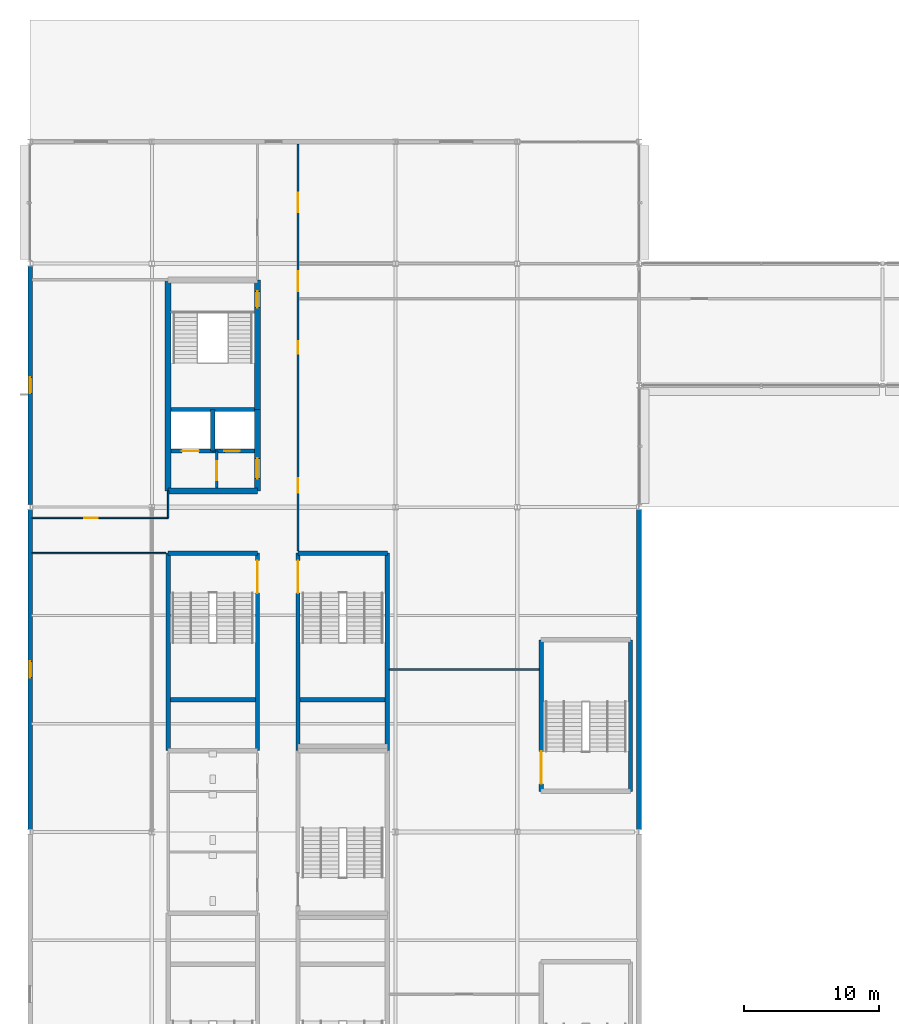
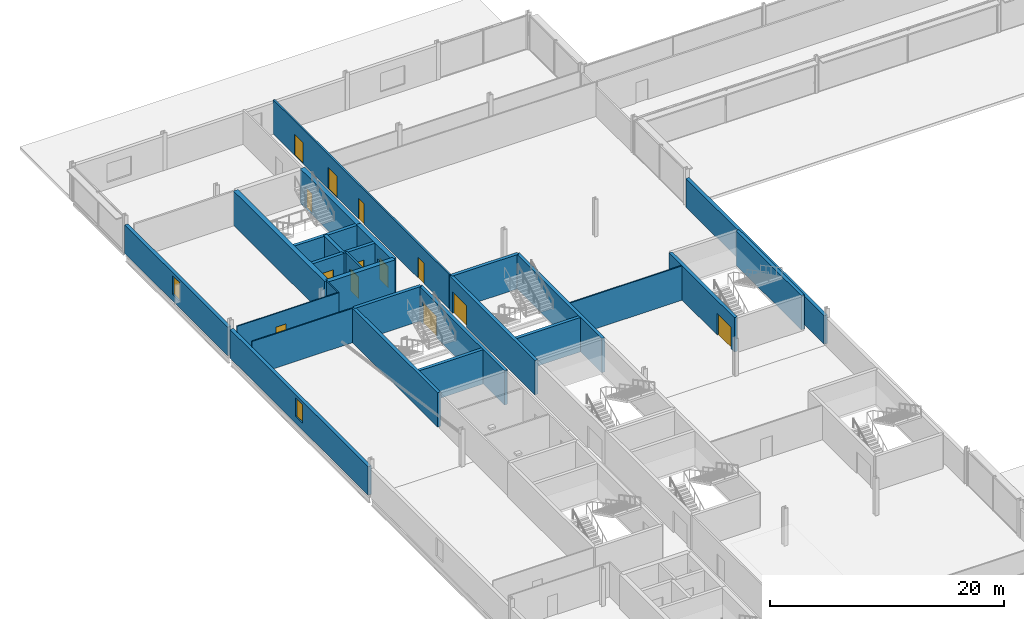
# One storey, part 64 of 105: 27 walls, 13 doors, 2 windows, 15 openings.
"""IFC4 building model written with IfcOpenShell, lengths in metres."""

from ifc_helpers import new_model, si_unit, direction, frame, frame_2d, origin, place, context, subcontext, project, spatial, rectangle, extrude, material, layer, layer_set, type_object, element, fill, save


model = new_model("IFC4")

# Units and contexts
model_context = context("Model", 3, precision=1e-05, world=origin(), true_north=direction((0.0, 1.0)))
body_context = subcontext(model_context, "Body", "Model", "MODEL_VIEW")
ifc_project = project(units=[si_unit("LENGTHUNIT", "METRE"), si_unit("AREAUNIT", "SQUARE_METRE"), si_unit("VOLUMEUNIT", "CUBIC_METRE"), si_unit("PLANEANGLEUNIT", "RADIAN"), si_unit("MASSUNIT", "GRAM", prefix="KILO")], contexts=[model_context])

# Site, building, storey
site_placement = place(None, origin())
site = spatial("IfcSite", under=ifc_project, at=site_placement, CompositionType="ELEMENT")
building_placement = place(site_placement, origin())
building = spatial("IfcBuilding", under=site, at=building_placement, Name="Kisiwana Market Hall", CompositionType="ELEMENT")
storey_placement = place(building_placement, frame((0.0, 0.0, 21.60009765625)))
storey = spatial("IfcBuildingStorey", under=building, at=storey_placement, Name="L04", CompositionType="ELEMENT", Elevation=21.60009765625)

# Wall, opening, door
ifc_material_1 = material(Name="Masonry blockwork", Category="masonry")
ifc_layer_1 = layer(ifc_material_1, 0.199951171875, Name="Plastered fire compartment block wall")
ifc_layer_set_1 = layer_set([ifc_layer_1], Name="WL-COMP-200")
wall_type_1 = type_object("IfcWallType", Name="WL-COMP-200", PredefinedType="PARTITIONING", material=ifc_layer_set_1)
wall_1_placement = place(storey_placement, frame((13.800048828125, 85.425048828125, 0.0), z_axis=(0.0, 0.0, 1.0), x_axis=(0.0, 1.0, 0.0)))
wall_1 = element("IfcWall", 1, at=wall_1_placement, inside=storey, type_object=wall_type_1, Name="Core W1 firefighting lobby wall W-1639", PredefinedType="PARTITIONING", context=body_context, shape_type="SweptSolid", body=[
    extrude(rectangle(XDim=2.72998046875, YDim=0.199951171875, at=frame_2d((1.364990234375, 0.0))), origin(), (0.0, 0.0, 1.0), 3.5849609375),
])
opening_1_placement = place(wall_1_placement, frame((0.550048828125, 0.0, 0.0)))
opening_1 = element("IfcOpeningElement", 2, at=opening_1_placement, cuts=wall_1, Name="Opening DR-L04-006", PredefinedType="OPENING", context=body_context, shape_type="SweptSolid", body=[
    extrude(rectangle(XDim=1.39990234375, YDim=2.25, at=frame_2d((0.699951171875, 1.125))), frame((0.0, 0.11181640625, 0.0), z_axis=(0.0, -1.0, 0.0), x_axis=(1.0, 0.0, 0.0)), (0.0, 0.0, 1.0), 0.223876953125),
])
ifc_material_2 = material(Name="Steel S275", Category="steel")
door_type_1 = type_object("IfcDoorType", Name="DR-FFLOB-FD120-1400", OperationType="DOUBLE_DOOR_SINGLE_SWING", PredefinedType="DOOR", material=ifc_material_2)
door_1_placement = place(opening_1_placement, frame((1.39990234375, 0.0, 0.0), z_axis=(0.0, 0.0, 1.0), x_axis=(-1.0, 0.0, 0.0)))
door_1 = element("IfcDoor", 3, at=door_1_placement, inside=storey, type_object=door_type_1, Name="Firefighting Lift Lobby W1 Door (L04)", OperationType="DOUBLE_DOOR_SINGLE_SWING", OverallHeight=2.25, OverallWidth=1.39990234375, PredefinedType="DOOR", context=body_context, shape_type="SweptSolid", body=[
    extrude(rectangle(XDim=1.39990234375, YDim=2.25, at=frame_2d((0.699951171875, 1.125))), frame((0.0, 0.02490234375, 0.0), z_axis=(0.0, -1.0, 0.0), x_axis=(1.0, 0.0, 0.0)), (0.0, 0.0, 1.0), 0.050048828125),
])
fill(opening_1, door_1)

# Walls
ifc_material_3 = material(Name="Concrete C40/50", Category="concrete")
ifc_layer_2 = layer(ifc_material_3, 0.320068359375, Name="Reinforced concrete shaft wall")
ifc_layer_set_2 = layer_set([ifc_layer_2], Name="WL-CORE-320")
wall_type_2 = type_object("IfcWallType", Name="WL-CORE-320", PredefinedType="SHEAR", material=ifc_layer_set_2)
wall_2_placement = place(storey_placement, frame((10.425048828125, 91.215087890625, 0.0), z_axis=(0.0, 0.0, 1.0), x_axis=(1.0, 0.0, 0.0)))
element("IfcWall", 4, at=wall_2_placement, inside=storey, type_object=wall_type_2, Name="Core W1 shaft back shear wall W-1528", PredefinedType="SHEAR", context=body_context, shape_type="SweptSolid", body=[
    extrude(rectangle(XDim=6.14990234375, YDim=0.320068359375, at=frame_2d((3.074951171875, 0.0))), origin(), (0.0, 0.0, 1.0), 3.5849609375),
])
wall_3_placement = place(storey_placement, frame((13.5, 88.155029296875, 0.0), z_axis=(0.0, 0.0, 1.0), x_axis=(0.0, 1.0, 0.0)))
element("IfcWall", 5, at=wall_3_placement, inside=storey, type_object=wall_type_2, Name="Core W1 inter-shaft shear wall W-1529", PredefinedType="SHEAR", context=body_context, shape_type="SweptSolid", body=[
    extrude(rectangle(XDim=3.06005859375, YDim=0.320068359375, at=frame_2d((1.530029296875, 0.0))), origin(), (0.0, 0.0, 1.0), 3.5849609375),
])

# Wall, opening, door
wall_4_placement = place(storey_placement, frame((10.425048828125, 88.155029296875, 0.0), z_axis=(0.0, 0.0, 1.0), x_axis=(1.0, 0.0, 0.0)))
wall_4 = element("IfcWall", 6, at=wall_4_placement, inside=storey, type_object=wall_type_2, Name="Core W1 west lift front wall W-1530", PredefinedType="SHEAR", context=body_context, shape_type="SweptSolid", body=[
    extrude(rectangle(XDim=3.074951171875, YDim=0.320068359375, at=frame_2d((1.53759765625, 0.0))), origin(), (0.0, 0.0, 1.0), 3.5849609375),
])
opening_2_placement = place(wall_4_placement, frame((0.800048828125, 0.0, 0.0)))
opening_2 = element("IfcOpeningElement", 7, at=opening_2_placement, cuts=wall_4, Name="Opening LD-L04-003", PredefinedType="OPENING", context=body_context, shape_type="SweptSolid", body=[
    extrude(rectangle(XDim=1.25, YDim=2.25, at=frame_2d((0.625, 1.125))), frame((0.0, 0.171875, 0.0), z_axis=(0.0, -1.0, 0.0), x_axis=(1.0, 0.0, 0.0)), (0.0, 0.0, 1.0), 0.343994140625),
])
ifc_material_4 = material(Name="Steel S275", Category="steel")
door_type_2 = type_object("IfcDoorType", Name="DR-LIFT-FFL-1250", OperationType="DOUBLE_DOOR_SLIDING", PredefinedType="DOOR", material=ifc_material_4)
door_2_placement = place(opening_2_placement, origin())
door_2 = element("IfcDoor", 8, at=door_2_placement, inside=storey, type_object=door_type_2, Name="Lift Landing Door FFL-02 (L04)", OperationType="DOUBLE_DOOR_SLIDING", OverallHeight=2.25, OverallWidth=1.25, PredefinedType="DOOR", context=body_context, shape_type="SweptSolid", body=[
    extrude(rectangle(XDim=1.25, YDim=2.25, at=frame_2d((0.625, 1.125))), frame((0.0, 0.02490234375, 0.0), z_axis=(0.0, -1.0, 0.0), x_axis=(1.0, 0.0, 0.0)), (0.0, 0.0, 1.0), 0.050048828125),
])
fill(opening_2, door_2)

wall_5_placement = place(storey_placement, frame((13.5, 88.155029296875, 0.0), z_axis=(0.0, 0.0, 1.0), x_axis=(1.0, 0.0, 0.0)))
wall_5 = element("IfcWall", 9, at=wall_5_placement, inside=storey, type_object=wall_type_2, Name="Core W1 east lift front wall W-1531", PredefinedType="SHEAR", context=body_context, shape_type="SweptSolid", body=[
    extrude(rectangle(XDim=3.074951171875, YDim=0.320068359375, at=frame_2d((1.53759765625, 0.0))), origin(), (0.0, 0.0, 1.0), 3.5849609375),
])
opening_3_placement = place(wall_5_placement, frame((0.85009765625, 0.0, 0.0)))
opening_3 = element("IfcOpeningElement", 10, at=opening_3_placement, cuts=wall_5, Name="Opening LD-L04-004", PredefinedType="OPENING", context=body_context, shape_type="SweptSolid", body=[
    extrude(rectangle(XDim=1.14990234375, YDim=2.199951171875, at=frame_2d((0.574951171875, 1.10009765625))), frame((0.0, 0.171875, 0.0), z_axis=(0.0, -1.0, 0.0), x_axis=(1.0, 0.0, 0.0)), (0.0, 0.0, 1.0), 0.343994140625),
])
ifc_material_5 = material(Name="Steel S275", Category="steel")
door_type_3 = type_object("IfcDoorType", Name="DR-LIFT-PAX-1150", OperationType="DOUBLE_DOOR_SLIDING", PredefinedType="DOOR", material=ifc_material_5)
door_3_placement = place(opening_3_placement, origin())
door_3 = element("IfcDoor", 11, at=door_3_placement, inside=storey, type_object=door_type_3, Name="Lift Landing Door LP-02 (L04)", OperationType="DOUBLE_DOOR_SLIDING", OverallHeight=2.199951171875, OverallWidth=1.14990234375, PredefinedType="DOOR", context=body_context, shape_type="SweptSolid", body=[
    extrude(rectangle(XDim=1.14990234375, YDim=2.199951171875, at=frame_2d((0.574951171875, 1.10009765625))), frame((0.0, 0.02490234375, 0.0), z_axis=(0.0, -1.0, 0.0), x_axis=(1.0, 0.0, 0.0)), (0.0, 0.0, 1.0), 0.050048828125),
])
fill(opening_3, door_3)

# Walls
wall_6_placement = place(storey_placement, frame((10.199951171875, 80.60009765625, 0.0), z_axis=(0.0, 0.0, 1.0), x_axis=(1.0, 0.0, 0.0)))
element("IfcWall", 12, at=wall_6_placement, inside=storey, type_object=wall_type_2, Name="Core W4 north shear wall W-1556", PredefinedType="SHEAR", context=body_context, shape_type="SweptSolid", body=[
    extrude(rectangle(XDim=6.60009765625, YDim=0.320068359375, at=frame_2d((3.300048828125, 0.0))), origin(), (0.0, 0.0, 1.0), 3.5849609375),
])
wall_7_placement = place(storey_placement, frame((10.199951171875, 66.0, 0.0), z_axis=(0.0, 0.0, 1.0), x_axis=(0.0, 1.0, 0.0)))
element("IfcWall", 13, at=wall_7_placement, inside=storey, type_object=wall_type_2, Name="Core W4 outer shear wall W-1557", PredefinedType="SHEAR", context=body_context, shape_type="SweptSolid", body=[
    extrude(rectangle(XDim=14.60009765625, YDim=0.320068359375, at=frame_2d((7.300048828125, 0.0))), origin(), (0.0, 0.0, 1.0), 3.5849609375),
])

# Wall, opening, door
wall_8_placement = place(storey_placement, frame((16.800048828125, 66.0, 0.0), z_axis=(0.0, 0.0, 1.0), x_axis=(0.0, 1.0, 0.0)))
wall_8 = element("IfcWall", 14, at=wall_8_placement, inside=storey, type_object=wall_type_2, Name="Core W4 corridor shear wall W-1558", PredefinedType="SHEAR", context=body_context, shape_type="SweptSolid", body=[
    extrude(rectangle(XDim=14.60009765625, YDim=0.320068359375, at=frame_2d((7.300048828125, 0.0))), origin(), (0.0, 0.0, 1.0), 3.5849609375),
])
opening_4_placement = place(wall_8_placement, frame((11.64990234375, 0.0, 0.0)))
opening_4 = element("IfcOpeningElement", 15, at=opening_4_placement, cuts=wall_8, Name="Opening DR-L04-014", PredefinedType="OPENING", context=body_context, shape_type="SweptSolid", body=[
    extrude(rectangle(XDim=2.39990234375, YDim=2.25, at=frame_2d((1.199951171875, 1.125))), frame((0.0, 0.171875, 0.0), z_axis=(0.0, -1.0, 0.0), x_axis=(1.0, 0.0, 0.0)), (0.0, 0.0, 1.0), 0.343994140625),
])
ifc_material_6 = material(Name="Steel S275", Category="steel")
door_type_4 = type_object("IfcDoorType", Name="DR-STAIR-FD120-2400", OperationType="DOUBLE_DOOR_SINGLE_SWING", PredefinedType="DOOR", material=ifc_material_6)
door_4_placement = place(opening_4_placement, origin())
door_4 = element("IfcDoor", 16, at=door_4_placement, inside=storey, type_object=door_type_4, Name="Escape Stair W4 Fire Door (L04)", OperationType="DOUBLE_DOOR_SINGLE_SWING", OverallHeight=2.25, OverallWidth=2.39990234375, PredefinedType="DOOR", context=body_context, shape_type="SweptSolid", body=[
    extrude(rectangle(XDim=2.39990234375, YDim=2.25, at=frame_2d((1.199951171875, 1.125))), frame((0.0, 0.02490234375, 0.0), z_axis=(0.0, -1.0, 0.0), x_axis=(1.0, 0.0, 0.0)), (0.0, 0.0, 1.0), 0.050048828125),
])
fill(opening_4, door_4)

# Walls
wall_9_placement = place(storey_placement, frame((10.360107421875, 69.780029296875, 0.0), z_axis=(0.0, 0.0, 1.0), x_axis=(1.0, 0.0, 0.0)))
element("IfcWall", 17, at=wall_9_placement, inside=storey, type_object=wall_type_2, Name="Core W4 riser divider shear wall W-1559", PredefinedType="SHEAR", context=body_context, shape_type="SweptSolid", body=[
    extrude(rectangle(XDim=6.27978515625, YDim=0.320068359375, at=frame_2d((3.139892578125, 0.0))), origin(), (0.0, 0.0, 1.0), 3.5849609375),
])
wall_10_placement = place(storey_placement, frame((19.800048828125, 80.60009765625, 0.0), z_axis=(0.0, 0.0, 1.0), x_axis=(1.0, 0.0, 0.0)))
element("IfcWall", 18, at=wall_10_placement, inside=storey, type_object=wall_type_2, Name="Core W8 north shear wall W-1581", PredefinedType="SHEAR", context=body_context, shape_type="SweptSolid", body=[
    extrude(rectangle(XDim=6.599853515625, YDim=0.320068359375, at=frame_2d((3.2998046875, 0.0))), origin(), (0.0, 0.0, 1.0), 3.5849609375),
])

# Wall, opening, door
wall_11_placement = place(storey_placement, frame((19.800048828125, 66.0, 0.0), z_axis=(0.0, 0.0, 1.0), x_axis=(0.0, 1.0, 0.0)))
wall_11 = element("IfcWall", 19, at=wall_11_placement, inside=storey, type_object=wall_type_2, Name="Core W8 corridor shear wall W-1582", PredefinedType="SHEAR", context=body_context, shape_type="SweptSolid", body=[
    extrude(rectangle(XDim=14.60009765625, YDim=0.320068359375, at=frame_2d((7.300048828125, 0.0))), origin(), (0.0, 0.0, 1.0), 3.5849609375),
])
opening_5_placement = place(wall_11_placement, frame((11.64990234375, 0.0, 0.0)))
opening_5 = element("IfcOpeningElement", 20, at=opening_5_placement, cuts=wall_11, Name="Opening DR-L04-019", PredefinedType="OPENING", context=body_context, shape_type="SweptSolid", body=[
    extrude(rectangle(XDim=2.39990234375, YDim=2.25, at=frame_2d((1.199951171875, 1.125))), frame((0.0, 0.171875, 0.0), z_axis=(0.0, -1.0, 0.0), x_axis=(1.0, 0.0, 0.0)), (0.0, 0.0, 1.0), 0.343994140625),
])
door_5_placement = place(opening_5_placement, frame((2.39990234375, 0.0, 0.0), z_axis=(0.0, 0.0, 1.0), x_axis=(-1.0, 0.0, 0.0)))
door_5 = element("IfcDoor", 21, at=door_5_placement, inside=storey, type_object=door_type_4, Name="Escape Stair W8 Fire Door (L04)", OperationType="DOUBLE_DOOR_SINGLE_SWING", OverallHeight=2.25, OverallWidth=2.39990234375, PredefinedType="DOOR", context=body_context, shape_type="SweptSolid", body=[
    extrude(rectangle(XDim=2.39990234375, YDim=2.25, at=frame_2d((1.199951171875, 1.125))), frame((0.0, 0.02490234375, 0.0), z_axis=(0.0, -1.0, 0.0), x_axis=(1.0, 0.0, 0.0)), (0.0, 0.0, 1.0), 0.050048828125),
])
fill(opening_5, door_5)

# Walls
wall_12_placement = place(storey_placement, frame((26.39990234375, 66.0, 0.0), z_axis=(0.0, 0.0, 1.0), x_axis=(0.0, 1.0, 0.0)))
element("IfcWall", 22, at=wall_12_placement, inside=storey, type_object=wall_type_2, Name="Core W8 outer shear wall W-1583", PredefinedType="SHEAR", context=body_context, shape_type="SweptSolid", body=[
    extrude(rectangle(XDim=14.60009765625, YDim=0.320068359375, at=frame_2d((7.300048828125, 0.0))), origin(), (0.0, 0.0, 1.0), 3.5849609375),
])
wall_13_placement = place(storey_placement, frame((19.9599609375, 69.780029296875, 0.0), z_axis=(0.0, 0.0, 1.0), x_axis=(1.0, 0.0, 0.0)))
element("IfcWall", 23, at=wall_13_placement, inside=storey, type_object=wall_type_2, Name="Core W8 riser divider shear wall W-1584", PredefinedType="SHEAR", context=body_context, shape_type="SweptSolid", body=[
    extrude(rectangle(XDim=6.280029296875, YDim=0.320068359375, at=frame_2d((3.14013671875, 0.0))), origin(), (0.0, 0.0, 1.0), 3.5849609375),
])

# Wall, opening, door
wall_14_placement = place(storey_placement, frame((37.77001953125, 63.0, 0.0), z_axis=(0.0, 0.0, 1.0), x_axis=(0.0, 1.0, 0.0)))
wall_14 = element("IfcWall", 24, at=wall_14_placement, inside=storey, type_object=wall_type_2, Name="Core W10 corridor shear wall W-1600", PredefinedType="SHEAR", context=body_context, shape_type="SweptSolid", body=[
    extrude(rectangle(XDim=11.199951171875, YDim=0.320068359375, at=frame_2d((5.60009765625, 0.0))), origin(), (0.0, 0.0, 1.0), 3.5849609375),
])
opening_6_placement = place(wall_14_placement, frame((0.550048828125, 0.0, 0.0)))
opening_6 = element("IfcOpeningElement", 25, at=opening_6_placement, cuts=wall_14, Name="Opening DR-L04-023", PredefinedType="OPENING", context=body_context, shape_type="SweptSolid", body=[
    extrude(rectangle(XDim=2.39990234375, YDim=2.25, at=frame_2d((1.199951171875, 1.125))), frame((0.0, 0.171875, 0.0), z_axis=(0.0, -1.0, 0.0), x_axis=(1.0, 0.0, 0.0)), (0.0, 0.0, 1.0), 0.343994140625),
])
door_6_placement = place(opening_6_placement, frame((2.39990234375, 0.0, 0.0), z_axis=(0.0, 0.0, 1.0), x_axis=(-1.0, 0.0, 0.0)))
door_6 = element("IfcDoor", 26, at=door_6_placement, inside=storey, type_object=door_type_4, Name="Escape Stair W10 Fire Door (L04)", OperationType="DOUBLE_DOOR_SINGLE_SWING", OverallHeight=2.25, OverallWidth=2.39990234375, PredefinedType="DOOR", context=body_context, shape_type="SweptSolid", body=[
    extrude(rectangle(XDim=2.39990234375, YDim=2.25, at=frame_2d((1.199951171875, 1.125))), frame((0.0, 0.02490234375, 0.0), z_axis=(0.0, -1.0, 0.0), x_axis=(1.0, 0.0, 0.0)), (0.0, 0.0, 1.0), 0.050048828125),
])
fill(opening_6, door_6)

# Walls
wall_15_placement = place(storey_placement, frame((44.3701171875, 63.0, 0.0), z_axis=(0.0, 0.0, 1.0), x_axis=(0.0, 1.0, 0.0)))
element("IfcWall", 27, at=wall_15_placement, inside=storey, type_object=wall_type_2, Name="Core W10 outer shear wall W-1601", PredefinedType="SHEAR", context=body_context, shape_type="SweptSolid", body=[
    extrude(rectangle(XDim=11.199951171875, YDim=0.320068359375, at=frame_2d((5.60009765625, 0.0))), origin(), (0.0, 0.0, 1.0), 3.5849609375),
])
ifc_material_7 = material(Name="Concrete C40/50", Category="concrete")
ifc_layer_3 = layer(ifc_material_7, 0.449951171875, Name="Reinforced concrete core wall")
ifc_layer_set_3 = layer_set([ifc_layer_3], Name="WL-CORE-450")
wall_type_3 = type_object("IfcWallType", Name="WL-CORE-450", PredefinedType="SHEAR", material=ifc_layer_set_3)
wall_16_placement = place(storey_placement, frame((10.199951171875, 85.199951171875, 0.0), z_axis=(0.0, 0.0, 1.0), x_axis=(1.0, 0.0, 0.0)))
element("IfcWall", 28, at=wall_16_placement, inside=storey, type_object=wall_type_3, Name="Core W1 south shear wall W-1523", PredefinedType="SHEAR", context=body_context, shape_type="SweptSolid", body=[
    extrude(rectangle(XDim=6.60009765625, YDim=0.449951171875, at=frame_2d((3.300048828125, 0.0))), origin(), (0.0, 0.0, 1.0), 3.5849609375),
])
wall_17_placement = place(storey_placement, frame((10.199951171875, 85.199951171875, 0.0), z_axis=(0.0, 0.0, 1.0), x_axis=(0.0, 1.0, 0.0)))
element("IfcWall", 29, at=wall_17_placement, inside=storey, type_object=wall_type_3, Name="Core W1 outer shear wall W-1525", PredefinedType="SHEAR", context=body_context, shape_type="SweptSolid", body=[
    extrude(rectangle(XDim=15.60009765625, YDim=0.449951171875, at=frame_2d((7.800048828125, 0.0))), origin(), (0.0, 0.0, 1.0), 3.5849609375),
])

# Wall, opening, door
wall_18_placement = place(storey_placement, frame((16.800048828125, 85.199951171875, 0.0), z_axis=(0.0, 0.0, 1.0), x_axis=(0.0, 1.0, 0.0)))
wall_18 = element("IfcWall", 30, at=wall_18_placement, inside=storey, type_object=wall_type_3, Name="Core W1 lobby corridor shear wall W-1526", PredefinedType="SHEAR", context=body_context, shape_type="SweptSolid", body=[
    extrude(rectangle(XDim=6.01513671875, YDim=0.449951171875, at=frame_2d((3.007568359375, 0.0))), origin(), (0.0, 0.0, 1.0), 3.5849609375),
])
opening_7_placement = place(wall_18_placement, frame((0.89990234375, 0.0, 0.0)))
opening_7 = element("IfcOpeningElement", 31, at=opening_7_placement, cuts=wall_18, Name="Opening DR-L04-004", PredefinedType="OPENING", context=body_context, shape_type="SweptSolid", body=[
    extrude(rectangle(XDim=1.5, YDim=2.199951171875, at=frame_2d((0.75, 1.10009765625))), frame((0.0, 0.23681640625, 0.0), z_axis=(0.0, -1.0, 0.0), x_axis=(1.0, 0.0, 0.0)), (0.0, 0.0, 1.0), 0.473876953125),
])
ifc_material_8 = material(Name="Steel S275", Category="steel")
door_type_5 = type_object("IfcDoorType", Name="DR-CORR-FD60-1500", OperationType="DOUBLE_DOOR_SINGLE_SWING", PredefinedType="DOOR", material=ifc_material_8)
door_7_placement = place(opening_7_placement, frame((1.5, 0.0, 0.0), z_axis=(0.0, 0.0, 1.0), x_axis=(-1.0, 0.0, 0.0)))
door_7 = element("IfcDoor", 32, at=door_7_placement, inside=storey, type_object=door_type_5, Name="Passenger Lift Lobby W1 Smoke Door (L04)", OperationType="DOUBLE_DOOR_SINGLE_SWING", OverallHeight=2.199951171875, OverallWidth=1.5, PredefinedType="DOOR", context=body_context, shape_type="SweptSolid", body=[
    extrude(rectangle(XDim=1.5, YDim=2.199951171875, at=frame_2d((0.75, 1.10009765625))), frame((0.0, 0.02490234375, 0.0), z_axis=(0.0, -1.0, 0.0), x_axis=(1.0, 0.0, 0.0)), (0.0, 0.0, 1.0), 0.050048828125),
])
fill(opening_7, door_7)

wall_19_placement = place(storey_placement, frame((16.800048828125, 91.215087890625, 0.0), z_axis=(0.0, 0.0, 1.0), x_axis=(0.0, 1.0, 0.0)))
wall_19 = element("IfcWall", 33, at=wall_19_placement, inside=storey, type_object=wall_type_3, Name="Core W1 stair corridor shear wall W-1527", PredefinedType="SHEAR", context=body_context, shape_type="SweptSolid", body=[
    extrude(rectangle(XDim=9.5849609375, YDim=0.449951171875, at=frame_2d((4.79248046875, 0.0))), origin(), (0.0, 0.0, 1.0), 3.5849609375),
])
opening_8_placement = place(wall_19_placement, frame((7.534912109375, 0.0, 0.0)))
opening_8 = element("IfcOpeningElement", 34, at=opening_8_placement, cuts=wall_19, Name="Opening DR-L04-005", PredefinedType="OPENING", context=body_context, shape_type="SweptSolid", body=[
    extrude(rectangle(XDim=1.199951171875, YDim=2.199951171875, at=frame_2d((0.60009765625, 1.10009765625))), frame((0.0, 0.23681640625, 0.0), z_axis=(0.0, -1.0, 0.0), x_axis=(1.0, 0.0, 0.0)), (0.0, 0.0, 1.0), 0.473876953125),
])
ifc_material_9 = material(Name="Steel S275", Category="steel")
door_type_6 = type_object("IfcDoorType", Name="DR-STAIR-FD120-1200", OperationType="NOTDEFINED", PredefinedType="DOOR", material=ifc_material_9)
door_8_placement = place(opening_8_placement, origin())
door_8 = element("IfcDoor", 35, at=door_8_placement, inside=storey, type_object=door_type_6, Name="Escape Stair W1 Fire Door (L04)", OperationType="SINGLE_SWING_RIGHT", OverallHeight=2.199951171875, OverallWidth=1.199951171875, PredefinedType="DOOR", context=body_context, shape_type="SweptSolid", body=[
    extrude(rectangle(XDim=1.199951171875, YDim=2.199951171875, at=frame_2d((0.60009765625, 1.10009765625))), frame((0.0, 0.02490234375, 0.0), z_axis=(0.0, -1.0, 0.0), x_axis=(1.0, 0.0, 0.0)), (0.0, 0.0, 1.0), 0.050048828125),
])
fill(opening_8, door_8)

# Wall, openings, doors
ifc_material_10 = material(Name="Masonry blockwork", Category="masonry")
ifc_layer_4 = layer(ifc_material_10, 0.169921875, Name="Protected corridor partition")
ifc_layer_set_4 = layer_set([ifc_layer_4], Name="WL-CORR-170")
wall_type_4 = type_object("IfcWallType", Name="WL-CORR-170", PredefinedType="PARTITIONING", material=ifc_layer_set_4)
wall_20_placement = place(storey_placement, frame((19.800048828125, 80.760009765625, 0.0), z_axis=(0.0, 0.0, 1.0), x_axis=(0.0, 1.0, 0.0)))
wall_20 = element("IfcWall", 36, at=wall_20_placement, inside=storey, type_object=wall_type_4, Name="Interior partition W-1667", PredefinedType="PARTITIONING", context=body_context, shape_type="SweptSolid", body=[
    extrude(rectangle(XDim=30.094970703125, YDim=0.169921875, at=frame_2d((15.04736328125, 0.0))), origin(), (0.0, 0.0, 1.0), 3.5849609375),
])
opening_9_placement = place(wall_20_placement, frame((4.300048828125, 0.0, 0.0)))
opening_9 = element("IfcOpeningElement", 37, at=opening_9_placement, cuts=wall_20, Name="Opening DR-L04-040", PredefinedType="OPENING", context=body_context, shape_type="SweptSolid", body=[
    extrude(rectangle(XDim=1.080078125, YDim=2.14990234375, at=frame_2d((0.5400390625, 1.074951171875))), frame((0.0, 0.096923828125, 0.0), z_axis=(0.0, -1.0, 0.0), x_axis=(1.0, 0.0, 0.0)), (0.0, 0.0, 1.0), 0.19384765625),
])
opening_10_placement = place(wall_20_placement, frame((19.18994140625, 0.0, 0.0)))
opening_10 = element("IfcOpeningElement", 38, at=opening_10_placement, cuts=wall_20, Name="Opening DR-L04-041", PredefinedType="OPENING", context=body_context, shape_type="SweptSolid", body=[
    extrude(rectangle(XDim=1.5, YDim=2.199951171875, at=frame_2d((0.75, 1.10009765625))), frame((0.0, 0.096923828125, 0.0), z_axis=(0.0, -1.0, 0.0), x_axis=(1.0, 0.0, 0.0)), (0.0, 0.0, 1.0), 0.19384765625),
])
opening_11_placement = place(wall_20_placement, frame((25.014892578125, 0.0, 0.0)))
opening_11 = element("IfcOpeningElement", 39, at=opening_11_placement, cuts=wall_20, Name="Opening DR-L04-042", PredefinedType="OPENING", context=body_context, shape_type="SweptSolid", body=[
    extrude(rectangle(XDim=1.449951171875, YDim=2.199951171875, at=frame_2d((0.72509765625, 1.10009765625))), frame((0.0, 0.096923828125, 0.0), z_axis=(0.0, -1.0, 0.0), x_axis=(1.0, 0.0, 0.0)), (0.0, 0.0, 1.0), 0.19384765625),
])
opening_12_placement = place(wall_20_placement, frame((14.587890625, 0.0, 0.0)))
opening_12 = element("IfcOpeningElement", 40, at=opening_12_placement, cuts=wall_20, Name="Opening DR-L04-043", PredefinedType="OPENING", context=body_context, shape_type="SweptSolid", body=[
    extrude(rectangle(XDim=0.919921875, YDim=2.14990234375, at=frame_2d((0.4599609375, 1.074951171875))), frame((0.0, 0.096923828125, 0.0), z_axis=(0.0, -1.0, 0.0), x_axis=(1.0, 0.0, 0.0)), (0.0, 0.0, 1.0), 0.19384765625),
])
door_9_placement = place(opening_10_placement, origin())
door_9 = element("IfcDoor", 41, at=door_9_placement, inside=storey, type_object=door_type_5, Name="L04 W North Skybridge Link Corridor Door", OperationType="DOUBLE_DOOR_SINGLE_SWING", OverallHeight=2.199951171875, OverallWidth=1.5, PredefinedType="DOOR", context=body_context, shape_type="SweptSolid", body=[
    extrude(rectangle(XDim=1.5, YDim=2.199951171875, at=frame_2d((0.75, 1.10009765625))), frame((0.0, 0.02490234375, 0.0), z_axis=(0.0, -1.0, 0.0), x_axis=(1.0, 0.0, 0.0)), (0.0, 0.0, 1.0), 0.050048828125),
])
fill(opening_10, door_9)
ifc_material_11 = material(Name="Hardwood timber", Category="wood")
door_type_7 = type_object("IfcDoorType", Name="DR-MEET-1450", OperationType="DOUBLE_DOOR_SINGLE_SWING", PredefinedType="DOOR", material=ifc_material_11)
door_10_placement = place(opening_11_placement, frame((1.449951171875, 0.0, 0.0), z_axis=(0.0, 0.0, 1.0), x_axis=(-1.0, 0.0, 0.0)))
door_10 = element("IfcDoor", 42, at=door_10_placement, inside=storey, type_object=door_type_7, Name="L04 W Executive Corner Office A5 Door", OperationType="DOUBLE_DOOR_SINGLE_SWING", OverallHeight=2.199951171875, OverallWidth=1.449951171875, PredefinedType="DOOR", context=body_context, shape_type="SweptSolid", body=[
    extrude(rectangle(XDim=1.449951171875, YDim=2.199951171875, at=frame_2d((0.72509765625, 1.10009765625))), frame((0.0, 0.02490234375, 0.0), z_axis=(0.0, -1.0, 0.0), x_axis=(1.0, 0.0, 0.0)), (0.0, 0.0, 1.0), 0.050048828125),
])
fill(opening_11, door_10)
ifc_material_12 = material(Name="Hardwood timber", Category="wood")
door_type_8 = type_object("IfcDoorType", Name="DR-OFF-0920", OperationType="NOTDEFINED", PredefinedType="DOOR", material=ifc_material_12)
door_11_placement = place(opening_12_placement, frame((0.919921875, 0.0, 0.0), z_axis=(0.0, 0.0, 1.0), x_axis=(-1.0, 0.0, 0.0)))
door_11 = element("IfcDoor", 43, at=door_11_placement, inside=storey, type_object=door_type_8, Name="L04 W Open-Plan Office A3 Door", OperationType="SINGLE_SWING_RIGHT", OverallHeight=2.14990234375, OverallWidth=0.919921875, PredefinedType="DOOR", context=body_context, shape_type="SweptSolid", body=[
    extrude(rectangle(XDim=0.919921875, YDim=2.14990234375, at=frame_2d((0.4599609375, 1.074951171875))), frame((0.0, 0.02490234375, 0.0), z_axis=(0.0, -1.0, 0.0), x_axis=(1.0, 0.0, 0.0)), (0.0, 0.0, 1.0), 0.050048828125),
])
fill(opening_12, door_11)
ifc_material_13 = material(Name="Hardwood timber", Category="wood")
door_type_9 = type_object("IfcDoorType", Name="DR-OFF-1080", OperationType="NOTDEFINED", PredefinedType="DOOR", material=ifc_material_13)
door_12_placement = place(opening_9_placement, frame((1.080078125, 0.0, 0.0), z_axis=(0.0, 0.0, 1.0), x_axis=(-1.0, 0.0, 0.0)))
door_12 = element("IfcDoor", 44, at=door_12_placement, inside=storey, type_object=door_type_9, Name="L04 W Project Studio A4 Door", OperationType="SINGLE_SWING_RIGHT", OverallHeight=2.14990234375, OverallWidth=1.080078125, PredefinedType="DOOR", context=body_context, shape_type="SweptSolid", body=[
    extrude(rectangle(XDim=1.080078125, YDim=2.14990234375, at=frame_2d((0.5400390625, 1.074951171875))), frame((0.0, 0.02490234375, 0.0), z_axis=(0.0, -1.0, 0.0), x_axis=(1.0, 0.0, 0.0)), (0.0, 0.0, 1.0), 0.050048828125),
])
fill(opening_9, door_12)

# Wall, opening, window
ifc_material_14 = material(Name="Concrete C40/50 precast", Category="concrete")
ifc_layer_5 = layer(ifc_material_14, 0.14990234375, Name="Precast architectural concrete spandrel")
ifc_material_15 = material(Name="Mineral wool insulation")
ifc_layer_6 = layer(ifc_material_15, 0.090087890625, Name="Rockwool thermal insulation")
ifc_material_16 = material(Name="Masonry blockwork", Category="masonry")
ifc_layer_7 = layer(ifc_material_16, 0.10009765625, Name="Inner masonry block leaf")
ifc_layer_set_5 = layer_set([ifc_layer_5, ifc_layer_6, ifc_layer_7], Name="WL-EXT-PREC-340")
wall_type_5 = type_object("IfcWallType", Name="WL-EXT-PREC-340", PredefinedType="STANDARD", material=ifc_layer_set_5)
wall_21_placement = place(storey_placement, frame((0.0, 60.18212890625, 0.0), z_axis=(0.0, 0.0, 1.0), x_axis=(0.0, 1.0, 0.0)))
wall_21 = element("IfcWall", 45, at=wall_21_placement, inside=storey, type_object=wall_type_5, Name="Exterior wall W-1627", PredefinedType="STANDARD", context=body_context, shape_type="SweptSolid", body=[
    extrude(rectangle(XDim=23.6357421875, YDim=0.340087890625, at=frame_2d((11.81787109375, 0.0))), origin(), (0.0, 0.0, 1.0), 2.97265625),
])
opening_13_placement = place(wall_21_placement, frame((11.2177734375, 0.0, 0.699951171875)))
opening_13 = element("IfcOpeningElement", 46, at=opening_13_placement, cuts=wall_21, Name="Opening WN-15", PredefinedType="OPENING", context=body_context, shape_type="SweptSolid", body=[
    extrude(rectangle(XDim=1.199951171875, YDim=1.949951171875, at=frame_2d((0.60009765625, 0.97509765625))), frame((0.0, 0.18212890625, 0.0), z_axis=(0.0, -1.0, 0.0), x_axis=(1.0, 0.0, 0.0)), (0.0, 0.0, 1.0), 0.364013671875),
])
ifc_material_17 = material(Name="Double-glazed solar-control low-E IGU", Category="glass")
window_type = type_object("IfcWindowType", Name="WN-OFFA-1200x1950", PartitioningType="SINGLE_PANEL", PredefinedType="WINDOW", material=ifc_material_17)
window_1_placement = place(opening_13_placement, origin())
window_1 = element("IfcWindow", 47, at=window_1_placement, inside=storey, type_object=window_type, Name="Exterior window WN-149", OverallHeight=1.949951171875, OverallWidth=1.199951171875, PartitioningType="SINGLE_PANEL", PredefinedType="WINDOW", context=body_context, shape_type="SweptSolid", body=[
    extrude(rectangle(XDim=1.199951171875, YDim=1.949951171875, at=frame_2d((0.60009765625, 0.97509765625))), frame((0.0, 0.030029296875, 0.0), z_axis=(0.0, -1.0, 0.0), x_axis=(1.0, 0.0, 0.0)), (0.0, 0.0, 1.0), 0.06005859375),
])
fill(opening_13, window_1)

wall_22_placement = place(storey_placement, frame((0.0, 84.18212890625, 0.0), z_axis=(0.0, 0.0, 1.0), x_axis=(0.0, 1.0, 0.0)))
wall_22 = element("IfcWall", 48, at=wall_22_placement, inside=storey, type_object=wall_type_5, Name="Exterior wall W-1628", PredefinedType="STANDARD", context=body_context, shape_type="SweptSolid", body=[
    extrude(rectangle(XDim=17.6357421875, YDim=0.340087890625, at=frame_2d((8.81787109375, 0.0))), origin(), (0.0, 0.0, 1.0), 2.97265625),
])
opening_14_placement = place(wall_22_placement, frame((8.2177734375, 0.0, 0.699951171875)))
opening_14 = element("IfcOpeningElement", 49, at=opening_14_placement, cuts=wall_22, Name="Opening WN-15", PredefinedType="OPENING", context=body_context, shape_type="SweptSolid", body=[
    extrude(rectangle(XDim=1.199951171875, YDim=1.949951171875, at=frame_2d((0.60009765625, 0.97509765625))), frame((0.0, 0.18212890625, 0.0), z_axis=(0.0, -1.0, 0.0), x_axis=(1.0, 0.0, 0.0)), (0.0, 0.0, 1.0), 0.364013671875),
])
window_2_placement = place(opening_14_placement, origin())
window_2 = element("IfcWindow", 50, at=window_2_placement, inside=storey, type_object=window_type, Name="Exterior window WN-150", OverallHeight=1.949951171875, OverallWidth=1.199951171875, PartitioningType="SINGLE_PANEL", PredefinedType="WINDOW", context=body_context, shape_type="SweptSolid", body=[
    extrude(rectangle(XDim=1.199951171875, YDim=1.949951171875, at=frame_2d((0.60009765625, 0.97509765625))), frame((0.0, 0.030029296875, 0.0), z_axis=(0.0, -1.0, 0.0), x_axis=(1.0, 0.0, 0.0)), (0.0, 0.0, 1.0), 0.06005859375),
])
fill(opening_14, window_2)

# Walls
wall_23_placement = place(storey_placement, frame((45.0, 60.18212890625, 0.0), z_axis=(0.0, 0.0, 1.0), x_axis=(0.0, 1.0, 0.0)))
element("IfcWall", 51, at=wall_23_placement, inside=storey, type_object=wall_type_5, Name="Exterior wall W-1630", PredefinedType="STANDARD", context=body_context, shape_type="SweptSolid", body=[
    extrude(rectangle(XDim=23.6357421875, YDim=0.340087890625, at=frame_2d((11.81787109375, 0.0))), origin(), (0.0, 0.0, 1.0), 2.97265625),
])
ifc_material_18 = material(Name="Gypsum plasterboard")
ifc_layer_8 = layer(ifc_material_18, 0.125, Name="Double gypsum board + acoustic stud")
ifc_layer_set_6 = layer_set([ifc_layer_8], Name="WL-OFF-125")
wall_type_6 = type_object("IfcWallType", Name="WL-OFF-125", PredefinedType="PARTITIONING", material=ifc_layer_set_6)
wall_24_placement = place(storey_placement, frame((26.56005859375, 72.0, 0.0), z_axis=(0.0, 0.0, 1.0), x_axis=(1.0, 0.0, 0.0)))
element("IfcWall", 52, at=wall_24_placement, inside=storey, type_object=wall_type_6, Name="Interior partition W-1661", PredefinedType="PARTITIONING", context=body_context, shape_type="SweptSolid", body=[
    extrude(rectangle(XDim=11.050048828125, YDim=0.125, at=frame_2d((5.52490234375, 0.0))), origin(), (0.0, 0.0, 1.0), 3.5849609375),
])
ifc_material_19 = material(Name="Masonry blockwork", Category="masonry")
ifc_layer_9 = layer(ifc_material_19, 0.110107421875)
ifc_layer_set_7 = layer_set([ifc_layer_9], Name="WL-PART-110")
wall_type_7 = type_object("IfcWallType", Name="WL-PART-110", PredefinedType="PARTITIONING", material=ifc_layer_set_7)
wall_25_placement = place(storey_placement, frame((10.199951171875, 83.199951171875, 0.0), z_axis=(0.0, 0.0, 1.0), x_axis=(0.0, 1.0, 0.0)))
element("IfcWall", 53, at=wall_25_placement, inside=storey, type_object=wall_type_7, Name="Interior partition W-1647", PredefinedType="PARTITIONING", context=body_context, shape_type="SweptSolid", body=[
    extrude(rectangle(XDim=2.0, YDim=0.110107421875, at=frame_2d((1.0, 0.0))), origin(), (0.0, 0.0, 1.0), 3.5849609375),
])
wall_26_placement = place(storey_placement, frame((0.14501953125, 80.60009765625, 0.0), z_axis=(0.0, 0.0, 1.0), x_axis=(1.0, 0.0, 0.0)))
element("IfcWall", 54, at=wall_26_placement, inside=storey, type_object=wall_type_7, Name="Interior partition W-1652", PredefinedType="PARTITIONING", context=body_context, shape_type="SweptSolid", body=[
    extrude(rectangle(XDim=9.89501953125, YDim=0.110107421875, at=frame_2d((4.947509765625, 0.0))), origin(), (0.0, 0.0, 1.0), 3.5849609375),
])

# Wall, opening, door
wall_27_placement = place(storey_placement, frame((0.14501953125, 83.199951171875, 0.0), z_axis=(0.0, 0.0, 1.0), x_axis=(1.0, 0.0, 0.0)))
wall_27 = element("IfcWall", 55, at=wall_27_placement, inside=storey, type_object=wall_type_7, Name="Interior partition W-1653", PredefinedType="PARTITIONING", context=body_context, shape_type="SweptSolid", body=[
    extrude(rectangle(XDim=10.054931640625, YDim=0.110107421875, at=frame_2d((5.02734375, 0.0))), origin(), (0.0, 0.0, 1.0), 3.5849609375),
])
opening_15_placement = place(wall_27_placement, frame((3.85498046875, 0.0, 0.0)))
opening_15 = element("IfcOpeningElement", 56, at=opening_15_placement, cuts=wall_27, Name="Opening DR-L04-032", PredefinedType="OPENING", context=body_context, shape_type="SweptSolid", body=[
    extrude(rectangle(XDim=1.0, YDim=2.14990234375, at=frame_2d((0.5, 1.074951171875))), frame((0.0, 0.06689453125, 0.0), z_axis=(0.0, -1.0, 0.0), x_axis=(1.0, 0.0, 0.0)), (0.0, 0.0, 1.0), 0.134033203125),
])
ifc_material_20 = material(Name="Aluminium alloy 6063-T6", Category="aluminium")
door_type_10 = type_object("IfcDoorType", Name="DR-OFF-1000", OperationType="NOTDEFINED", PredefinedType="DOOR", material=ifc_material_20)
door_13_placement = place(opening_15_placement, origin())
door_13 = element("IfcDoor", 57, at=door_13_placement, inside=storey, type_object=door_type_10, Name="L04 W Commercial Office North Door", OperationType="SINGLE_SWING_LEFT", OverallHeight=2.14990234375, OverallWidth=1.0, PredefinedType="DOOR", context=body_context, shape_type="SweptSolid", body=[
    extrude(rectangle(XDim=1.0, YDim=2.14990234375, at=frame_2d((0.5, 1.074951171875))), frame((0.0, 0.02490234375, 0.0), z_axis=(0.0, -1.0, 0.0), x_axis=(1.0, 0.0, 0.0)), (0.0, 0.0, 1.0), 0.050048828125),
])
fill(opening_15, door_13)

save(model, "model.ifc")
